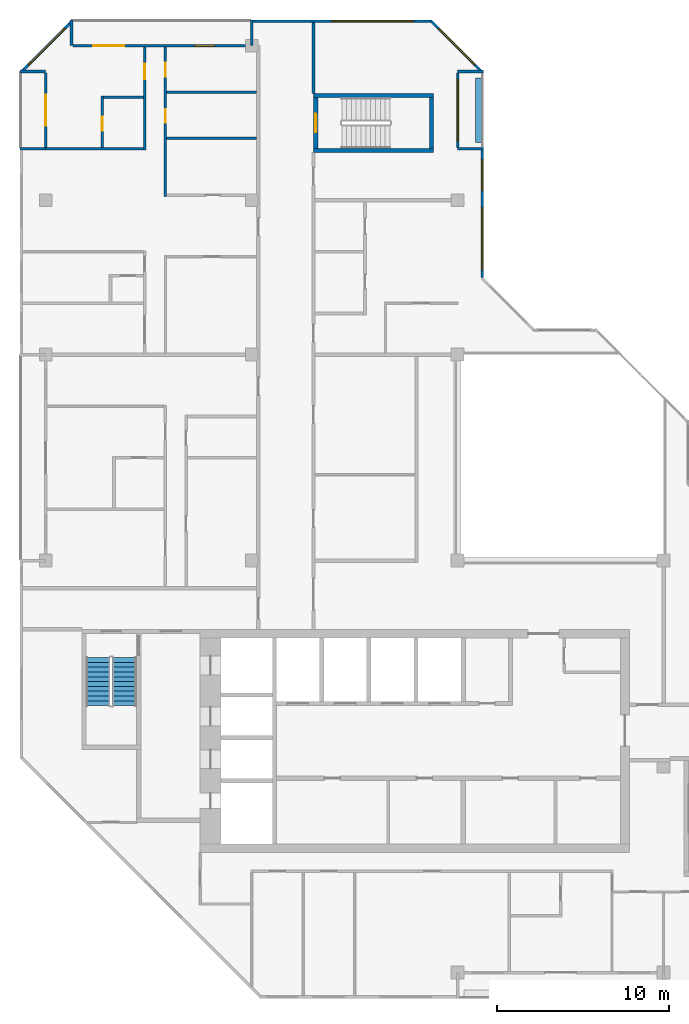
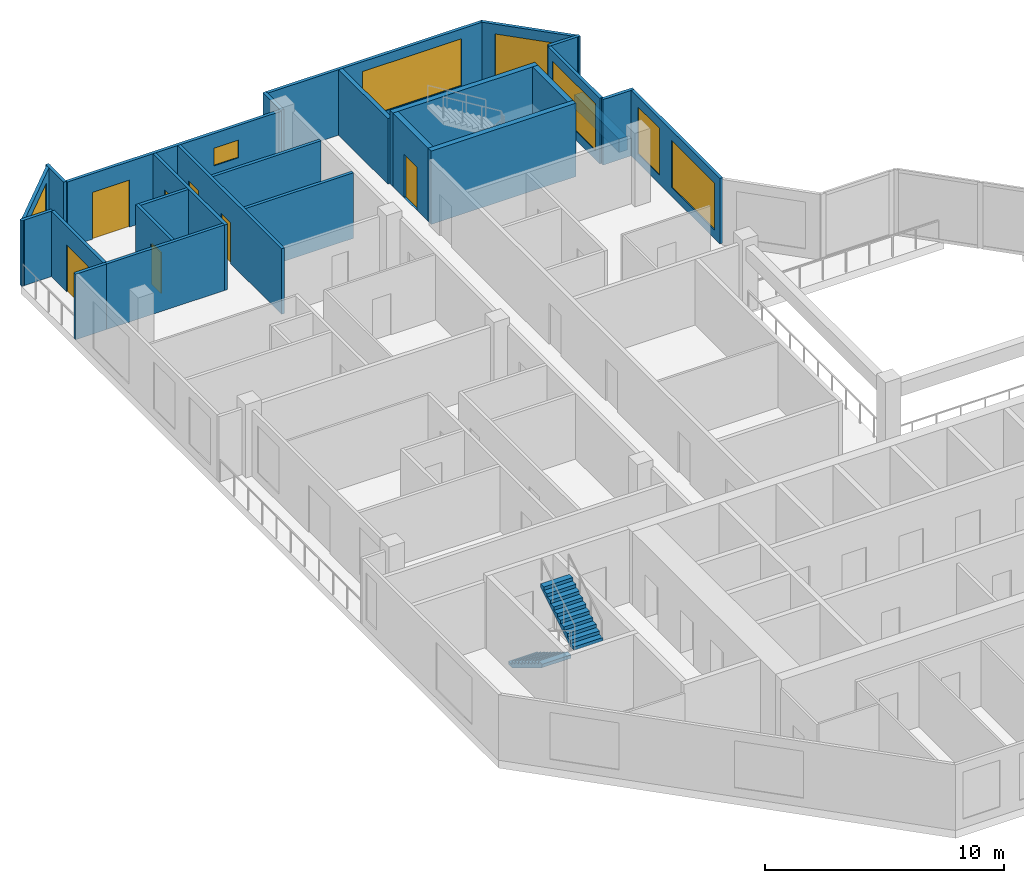
# One storey, part 9 of 12: 26 walls, 7 doors, 7 windows, 2 stair flights, 14 openings, 1 element without a shape of its own.
"""IFC4 building model written with IfcOpenShell, lengths in metres."""

from ifc_helpers import new_model, si_unit, direction, frame, frame_2d, origin, place, context, subcontext, project, spatial, polyline, rectangle, outline, extrude, material, layer, layer_set, type_object, element, fill, aggregate, save


model = new_model("IFC4")

# Units and contexts
model_context = context("Model", 3, precision=1e-05, world=origin(), true_north=direction((0.0, 1.0)))
body_context = subcontext(model_context, "Body", "Model", "MODEL_VIEW")
ifc_project = project(units=[si_unit("LENGTHUNIT", "METRE"), si_unit("AREAUNIT", "SQUARE_METRE"), si_unit("VOLUMEUNIT", "CUBIC_METRE"), si_unit("PLANEANGLEUNIT", "RADIAN"), si_unit("MASSUNIT", "GRAM", prefix="KILO")], contexts=[model_context])

# Site, building, storey
site_placement = place(None, origin())
site = spatial("IfcSite", under=ifc_project, at=site_placement, CompositionType="ELEMENT")
building_placement = place(site_placement, origin())
building = spatial("IfcBuilding", under=site, at=building_placement, Name="Chenar Terraces", CompositionType="ELEMENT")
storey_placement = place(building_placement, frame((0.0, 0.0, 357.64990234375)))
storey = spatial("IfcBuildingStorey", under=building, at=storey_placement, Name="L83", CompositionType="ELEMENT", Elevation=357.64990234375)

# Walls
ifc_material_1 = material(Name="Concrete C50/60", Category="concrete")
ifc_layer_1 = layer(ifc_material_1, 0.25)
ifc_layer_set_1 = layer_set([ifc_layer_1], Name="Concrete C50/60")
wall_type_1 = type_object("IfcWallType", Name="Core wall 250 Concrete C50/60", PredefinedType="SHEAR", material=ifc_layer_set_1)
for number, where, z_axis, x_axis, name in (
    (1, (15.60009765625, 47.89990234375, 0.0), (0.0, 0.0, 1.0), (1.0, 0.0, 0.0), "Core wall ST4_S L83"),
    (2, (15.60009765625, 51.10009765625, 0.0), (0.0, 0.0, 1.0), (1.0, 0.0, 0.0), "Core wall ST4_N L83"),
):
    element("IfcWall", number, at=place(storey_placement, frame(where, z_axis=z_axis, x_axis=x_axis)), inside=storey, type_object=wall_type_1, Name=name, PredefinedType="SHEAR", context=body_context, shape_type="SweptSolid", body=[
        extrude(rectangle(XDim=7.0, YDim=0.25, at=frame_2d((3.5, 0.0))), origin(), (0.0, 0.0, 1.0), 3.75),
    ])

# Wall, opening, door
wall_1_placement = place(storey_placement, frame((15.72509765625, 48.02490234375, 0.0), z_axis=(0.0, 0.0, 1.0), x_axis=(0.0, 1.0, 0.0)))
wall_1 = element("IfcWall", 3, at=wall_1_placement, inside=storey, type_object=wall_type_1, Name="Core wall ST4_W L83", PredefinedType="SHEAR", context=body_context, shape_type="SweptSolid", body=[
    extrude(rectangle(XDim=2.9501953125, YDim=0.25, at=frame_2d((1.47509765625, 0.0))), origin(), (0.0, 0.0, 1.0), 3.75),
])
opening_1_placement = place(wall_1_placement, frame((0.925048828125, 0.0, 0.0)))
opening_1 = element("IfcOpeningElement", 4, at=opening_1_placement, cuts=wall_1, Name="Opening DL83-C9", PredefinedType="OPENING", context=body_context, shape_type="SweptSolid", body=[
    extrude(rectangle(XDim=1.10009765625, YDim=2.199951171875, at=frame_2d((0.550048828125, 1.10009765625))), frame((0.0, 0.135009765625, 0.0), z_axis=(0.0, -1.0, 0.0), x_axis=(1.0, 0.0, 0.0)), (0.0, 0.0, 1.0), 0.27001953125),
])
ifc_material_2 = material(Name="Steel-framed fire-resisting door leaf", Category="steel")
door_type_1 = type_object("IfcDoorType", Name="Stair fire door FD60 1100 x 2200", OperationType="SINGLE_SWING_LEFT", PredefinedType="DOOR", material=ifc_material_2)
door_1_placement = place(opening_1_placement, frame((1.10009765625, 0.0, 0.0), z_axis=(0.0, 0.0, 1.0), x_axis=(-1.0, 0.0, 0.0)))
door_1 = element("IfcDoor", 5, at=door_1_placement, inside=storey, type_object=door_type_1, Name="Stair door DL83-C9", OperationType="SINGLE_SWING_RIGHT", OverallHeight=2.199951171875, OverallWidth=1.10009765625, PredefinedType="DOOR", context=body_context, shape_type="SweptSolid", body=[
    extrude(rectangle(XDim=1.10009765625, YDim=2.199951171875, at=frame_2d((0.550048828125, 1.10009765625))), frame((0.0, 0.02490234375, 0.0), z_axis=(0.0, -1.0, 0.0), x_axis=(1.0, 0.0, 0.0)), (0.0, 0.0, 1.0), 0.050048828125),
])
fill(opening_1, door_1)

# Walls
wall_2_placement = place(storey_placement, frame((22.47509765625, 48.02490234375, 0.0), z_axis=(0.0, 0.0, 1.0), x_axis=(0.0, 1.0, 0.0)))
element("IfcWall", 6, at=wall_2_placement, inside=storey, type_object=wall_type_1, Name="Core wall ST4_E L83", PredefinedType="SHEAR", context=body_context, shape_type="SweptSolid", body=[
    extrude(rectangle(XDim=2.9501953125, YDim=0.25, at=frame_2d((1.47509765625, 0.0))), origin(), (0.0, 0.0, 1.0), 3.75),
])
ifc_material_3 = material(Name="Gypsum board on steel studs with fire boards", Category="steel")
ifc_layer_2 = layer(ifc_material_3, 0.199951171875)
ifc_layer_set_2 = layer_set([ifc_layer_2], Name="Gypsum board on steel studs with fire boards")
wall_type_2 = type_object("IfcWallType", Name="Corridor wall 200", PredefinedType="PARTITIONING", material=ifc_layer_set_2)
wall_3_placement = place(storey_placement, frame((15.60009765625, 51.22509765625, 0.0), z_axis=(0.0, 0.0, 1.0), x_axis=(0.0, 1.0, 0.0)))
element("IfcWall", 7, at=wall_3_placement, inside=storey, type_object=wall_type_2, Name="Partition L83-035", PredefinedType="PARTITIONING", context=body_context, shape_type="SweptSolid", body=[
    extrude(rectangle(XDim=4.125, YDim=0.199951171875, at=frame_2d((2.0625, 0.0))), origin(), (0.0, 0.0, 1.0), 3.35009765625),
])

# Wall, openings, windows
ifc_material_4 = material(Name="Aluminium framed glazing", Category="aluminium")
ifc_layer_3 = layer(ifc_material_4, 0.14990234375)
ifc_layer_set_3 = layer_set([ifc_layer_3], Name="Aluminium framed glazing")
wall_type_3 = type_object("IfcWallType", Name="Glazed flush facade wall 150", PredefinedType="SOLIDWALL", material=ifc_layer_set_3)
wall_4_placement = place(storey_placement, frame((25.425048828125, 40.5, 0.0), z_axis=(0.0, 0.0, 1.0), x_axis=(0.0, 1.0, 0.0)))
wall_4 = element("IfcWall", 8, at=wall_4_placement, inside=storey, type_object=wall_type_3, Name="Glazed flush facade wall", PredefinedType="SOLIDWALL", context=body_context, shape_type="SweptSolid", body=[
    extrude(rectangle(XDim=7.425048828125, YDim=0.14990234375, at=frame_2d((3.71240234375, 0.0))), origin(), (0.0, 0.0, 1.0), 3.35009765625),
])
opening_2_placement = place(wall_4_placement, frame((0.449951171875, 0.0, 0.449951171875)))
opening_2 = element("IfcOpeningElement", 9, at=opening_2_placement, cuts=wall_4, Name="Opening W360x240", PredefinedType="OPENING", context=body_context, shape_type="SweptSolid", body=[
    extrude(rectangle(XDim=3.60009765625, YDim=2.39990234375, at=frame_2d((1.800048828125, 1.199951171875))), frame((0.0, 0.0849609375, 0.0), z_axis=(0.0, -1.0, 0.0), x_axis=(1.0, 0.0, 0.0)), (0.0, 0.0, 1.0), 0.169921875),
])
opening_3_placement = place(wall_4_placement, frame((5.0625, 0.0, 0.449951171875)))
opening_3 = element("IfcOpeningElement", 10, at=opening_3_placement, cuts=wall_4, Name="Opening W180x240", PredefinedType="OPENING", context=body_context, shape_type="SweptSolid", body=[
    extrude(rectangle(XDim=1.800048828125, YDim=2.39990234375, at=frame_2d((0.89990234375, 1.199951171875))), frame((0.0, 0.0849609375, 0.0), z_axis=(0.0, -1.0, 0.0), x_axis=(1.0, 0.0, 0.0)), (0.0, 0.0, 1.0), 0.169921875),
])
ifc_material_5 = material(Name="Low emissivity double glazing, aluminium frame", Category="aluminium")
window_type_1 = type_object("IfcWindowType", Name="Fixed light 1800 x 2400", PartitioningType="SINGLE_PANEL", PredefinedType="WINDOW", material=ifc_material_5)
window_1_placement = place(opening_3_placement, origin())
window_1 = element("IfcWindow", 11, at=window_1_placement, inside=storey, type_object=window_type_1, Name="Window", OverallHeight=2.39990234375, OverallWidth=1.800048828125, PartitioningType="SINGLE_PANEL", PredefinedType="WINDOW", context=body_context, shape_type="SweptSolid", body=[
    extrude(rectangle(XDim=1.800048828125, YDim=2.39990234375, at=frame_2d((0.89990234375, 1.199951171875))), frame((0.0, 0.030029296875, 0.0), z_axis=(0.0, -1.0, 0.0), x_axis=(1.0, 0.0, 0.0)), (0.0, 0.0, 1.0), 0.06005859375),
])
fill(opening_3, window_1)
ifc_material_6 = material(Name="Low emissivity double glazing, aluminium frame", Category="aluminium")
window_type_2 = type_object("IfcWindowType", Name="Fixed light 3600 x 2400", PartitioningType="SINGLE_PANEL", PredefinedType="WINDOW", material=ifc_material_6)
window_2_placement = place(opening_2_placement, origin())
window_2 = element("IfcWindow", 12, at=window_2_placement, inside=storey, type_object=window_type_2, Name="Window", OverallHeight=2.39990234375, OverallWidth=3.60009765625, PartitioningType="SINGLE_PANEL", PredefinedType="WINDOW", context=body_context, shape_type="SweptSolid", body=[
    extrude(rectangle(XDim=3.60009765625, YDim=2.39990234375, at=frame_2d((1.800048828125, 1.199951171875))), frame((0.0, 0.030029296875, 0.0), z_axis=(0.0, -1.0, 0.0), x_axis=(1.0, 0.0, 0.0)), (0.0, 0.0, 1.0), 0.06005859375),
])
fill(opening_2, window_2)

# Wall, opening, window
wall_5_placement = place(storey_placement, frame((22.5, 55.425048828125, 0.0), z_axis=(0.0, 0.0, 1.0), x_axis=(-1.0, 0.0, 0.0)))
wall_5 = element("IfcWall", 13, at=wall_5_placement, inside=storey, type_object=wall_type_3, Name="Glazed flush facade wall", PredefinedType="SOLIDWALL", context=body_context, shape_type="SweptSolid", body=[
    extrude(rectangle(XDim=10.425048828125, YDim=0.14990234375, at=frame_2d((5.21240234375, 0.0))), origin(), (0.0, 0.0, 1.0), 3.35009765625),
])
opening_4_placement = place(wall_5_placement, frame((1.050048828125, 0.0, 0.449951171875)))
opening_4 = element("IfcOpeningElement", 14, at=opening_4_placement, cuts=wall_5, Name="Opening W480x240", PredefinedType="OPENING", context=body_context, shape_type="SweptSolid", body=[
    extrude(rectangle(XDim=4.800048828125, YDim=2.39990234375, at=frame_2d((2.39990234375, 1.199951171875))), frame((0.0, 0.0849609375, 0.0), z_axis=(0.0, -1.0, 0.0), x_axis=(1.0, 0.0, 0.0)), (0.0, 0.0, 1.0), 0.169921875),
])
ifc_material_7 = material(Name="Low emissivity double glazing, aluminium frame", Category="aluminium")
window_type_3 = type_object("IfcWindowType", Name="Fixed light 4800 x 2400", PartitioningType="SINGLE_PANEL", PredefinedType="WINDOW", material=ifc_material_7)
window_3_placement = place(opening_4_placement, origin())
window_3 = element("IfcWindow", 15, at=window_3_placement, inside=storey, type_object=window_type_3, Name="Window", OverallHeight=2.39990234375, OverallWidth=4.800048828125, PartitioningType="SINGLE_PANEL", PredefinedType="WINDOW", context=body_context, shape_type="SweptSolid", body=[
    extrude(rectangle(XDim=4.800048828125, YDim=2.39990234375, at=frame_2d((2.39990234375, 1.199951171875))), frame((0.0, 0.030029296875, 0.0), z_axis=(0.0, -1.0, 0.0), x_axis=(1.0, 0.0, 0.0)), (0.0, 0.0, 1.0), 0.06005859375),
])
fill(opening_4, window_3)

ifc_material_8 = material(Name="Aluminium framed glazing", Category="aluminium")
ifc_layer_4 = layer(ifc_material_8, 0.14990234375)
ifc_layer_set_4 = layer_set([ifc_layer_4], Name="Aluminium framed glazing")
wall_type_4 = type_object("IfcWallType", Name="Glazed loggia back wall 150", PredefinedType="SOLIDWALL", material=ifc_layer_set_4)
wall_6_placement = place(storey_placement, frame((24.0, 48.074951171875, 0.0), z_axis=(0.0, 0.0, 1.0), x_axis=(0.0, 1.0, 0.0)))
wall_6 = element("IfcWall", 16, at=wall_6_placement, inside=storey, type_object=wall_type_4, Name="Glazed loggia back wall", PredefinedType="SOLIDWALL", context=body_context, shape_type="SweptSolid", body=[
    extrude(rectangle(XDim=4.35009765625, YDim=0.14990234375, at=frame_2d((2.175048828125, 0.0))), origin(), (0.0, 0.0, 1.0), 3.35009765625),
])
opening_5_placement = place(wall_6_placement, frame((0.375, 0.0, 0.449951171875)))
opening_5 = element("IfcOpeningElement", 17, at=opening_5_placement, cuts=wall_6, Name="Opening W360x240", PredefinedType="OPENING", context=body_context, shape_type="SweptSolid", body=[
    extrude(rectangle(XDim=3.60009765625, YDim=2.39990234375, at=frame_2d((1.800048828125, 1.199951171875))), frame((0.0, 0.0849609375, 0.0), z_axis=(0.0, -1.0, 0.0), x_axis=(1.0, 0.0, 0.0)), (0.0, 0.0, 1.0), 0.169921875),
])
window_4_placement = place(opening_5_placement, origin())
window_4 = element("IfcWindow", 18, at=window_4_placement, inside=storey, type_object=window_type_2, Name="Window", OverallHeight=2.39990234375, OverallWidth=3.60009765625, PartitioningType="SINGLE_PANEL", PredefinedType="WINDOW", context=body_context, shape_type="SweptSolid", body=[
    extrude(rectangle(XDim=3.60009765625, YDim=2.39990234375, at=frame_2d((1.800048828125, 1.199951171875))), frame((0.0, 0.030029296875, 0.0), z_axis=(0.0, -1.0, 0.0), x_axis=(1.0, 0.0, 0.0)), (0.0, 0.0, 1.0), 0.06005859375),
])
fill(opening_5, window_4)

# Wall, openings, window, door
wall_7_placement = place(storey_placement, frame((11.925048828125, 54.0, 0.0), z_axis=(0.0, 0.0, 1.0), x_axis=(-1.0, 0.0, 0.0)))
wall_7 = element("IfcWall", 19, at=wall_7_placement, inside=storey, type_object=wall_type_4, Name="Glazed loggia back wall", PredefinedType="SOLIDWALL", context=body_context, shape_type="SweptSolid", body=[
    extrude(rectangle(XDim=10.35009765625, YDim=0.14990234375, at=frame_2d((5.175048828125, 0.0))), origin(), (0.0, 0.0, 1.0), 3.35009765625),
])
opening_6_placement = place(wall_7_placement, frame((2.074951171875, 0.0, 1.699951171875)))
opening_6 = element("IfcOpeningElement", 20, at=opening_6_placement, cuts=wall_7, Name="Opening W120x90", PredefinedType="OPENING", context=body_context, shape_type="SweptSolid", body=[
    extrude(rectangle(XDim=1.199951171875, YDim=0.89990234375, at=frame_2d((0.60009765625, 0.449951171875))), frame((0.0, 0.0849609375, 0.0), z_axis=(0.0, -1.0, 0.0), x_axis=(1.0, 0.0, 0.0)), (0.0, 0.0, 1.0), 0.169921875),
])
opening_7_placement = place(wall_7_placement, frame((7.35009765625, 0.0, 0.0)))
opening_7 = element("IfcOpeningElement", 21, at=opening_7_placement, cuts=wall_7, Name="Opening DL83-G1", PredefinedType="OPENING", context=body_context, shape_type="SweptSolid", body=[
    extrude(rectangle(XDim=1.800048828125, YDim=2.39990234375, at=frame_2d((0.89990234375, 1.199951171875))), frame((0.0, 0.0849609375, 0.0), z_axis=(0.0, -1.0, 0.0), x_axis=(1.0, 0.0, 0.0)), (0.0, 0.0, 1.0), 0.169921875),
])
ifc_material_9 = material(Name="Low emissivity double glazing, aluminium frame", Category="aluminium")
window_type_4 = type_object("IfcWindowType", Name="Fixed light 1200 x 900", PartitioningType="SINGLE_PANEL", PredefinedType="WINDOW", material=ifc_material_9)
window_5_placement = place(opening_6_placement, origin())
window_5 = element("IfcWindow", 22, at=window_5_placement, inside=storey, type_object=window_type_4, Name="Window", OverallHeight=0.89990234375, OverallWidth=1.199951171875, PartitioningType="SINGLE_PANEL", PredefinedType="WINDOW", context=body_context, shape_type="SweptSolid", body=[
    extrude(rectangle(XDim=1.199951171875, YDim=0.89990234375, at=frame_2d((0.60009765625, 0.449951171875))), frame((0.0, 0.030029296875, 0.0), z_axis=(0.0, -1.0, 0.0), x_axis=(1.0, 0.0, 0.0)), (0.0, 0.0, 1.0), 0.06005859375),
])
fill(opening_6, window_5)
ifc_material_10 = material(Name="Low emissivity double glazing, aluminium frame", Category="aluminium")
door_type_2 = type_object("IfcDoorType", Name="Loggia glazed double door 1800 x 2400", OperationType="DOUBLE_DOOR_SINGLE_SWING", PredefinedType="DOOR", material=ifc_material_10)
door_2_placement = place(opening_7_placement, frame((1.800048828125, 0.0, 0.0), z_axis=(0.0, 0.0, 1.0), x_axis=(-1.0, 0.0, 0.0)))
door_2 = element("IfcDoor", 23, at=door_2_placement, inside=storey, type_object=door_type_2, Name="Loggia glazed door", OperationType="DOUBLE_DOOR_SINGLE_SWING", OverallHeight=2.39990234375, OverallWidth=1.800048828125, PredefinedType="DOOR", context=body_context, shape_type="SweptSolid", body=[
    extrude(rectangle(XDim=1.800048828125, YDim=2.39990234375, at=frame_2d((0.89990234375, 1.199951171875))), frame((0.0, 0.02490234375, 0.0), z_axis=(0.0, -1.0, 0.0), x_axis=(1.0, 0.0, 0.0)), (0.0, 0.0, 1.0), 0.050048828125),
])
fill(opening_7, door_2)

# Wall, opening, door
wall_8_placement = place(storey_placement, frame((0.0, 52.425048828125, 0.0), z_axis=(0.0, 0.0, 1.0), x_axis=(0.0, -1.0, 0.0)))
wall_8 = element("IfcWall", 24, at=wall_8_placement, inside=storey, type_object=wall_type_4, Name="Glazed loggia back wall", PredefinedType="SOLIDWALL", context=body_context, shape_type="SweptSolid", body=[
    extrude(rectangle(XDim=4.35009765625, YDim=0.14990234375, at=frame_2d((2.175048828125, 0.0))), origin(), (0.0, 0.0, 1.0), 3.35009765625),
])
opening_8_placement = place(wall_8_placement, frame((1.27490234375, 0.0, 0.0)))
opening_8 = element("IfcOpeningElement", 25, at=opening_8_placement, cuts=wall_8, Name="Opening DL83-G2", PredefinedType="OPENING", context=body_context, shape_type="SweptSolid", body=[
    extrude(rectangle(XDim=1.800048828125, YDim=2.39990234375, at=frame_2d((0.89990234375, 1.199951171875))), frame((0.0, 0.0849609375, 0.0), z_axis=(0.0, -1.0, 0.0), x_axis=(1.0, 0.0, 0.0)), (0.0, 0.0, 1.0), 0.169921875),
])
door_3_placement = place(opening_8_placement, frame((1.800048828125, 0.0, 0.0), z_axis=(0.0, 0.0, 1.0), x_axis=(-1.0, 0.0, 0.0)))
door_3 = element("IfcDoor", 26, at=door_3_placement, inside=storey, type_object=door_type_2, Name="Loggia glazed door", OperationType="DOUBLE_DOOR_SINGLE_SWING", OverallHeight=2.39990234375, OverallWidth=1.800048828125, PredefinedType="DOOR", context=body_context, shape_type="SweptSolid", body=[
    extrude(rectangle(XDim=1.800048828125, YDim=2.39990234375, at=frame_2d((0.89990234375, 1.199951171875))), frame((0.0, 0.02490234375, 0.0), z_axis=(0.0, -1.0, 0.0), x_axis=(1.0, 0.0, 0.0)), (0.0, 0.0, 1.0), 0.050048828125),
])
fill(opening_8, door_3)

# Walls
ifc_material_11 = material(Name="Terracotta cladding on insulated backing", Category="masonry")
ifc_layer_5 = layer(ifc_material_11, 0.14990234375)
ifc_layer_set_5 = layer_set([ifc_layer_5], Name="Terracotta cladding on insulated backing")
wall_type_5 = type_object("IfcWallType", Name="Loggia return wall 150", PredefinedType="SOLIDWALL", material=ifc_layer_set_5)
for number, where, z_axis, x_axis, name in (
    (27, (25.5, 48.0, 0.0), (0.0, 0.0, 1.0), (-1.0, 0.0, 0.0), "Loggia return wall"),
    (28, (25.5, 52.5, 0.0), (0.0, 0.0, 1.0), (-1.0, 0.0, 0.0), "Loggia return wall"),
    (29, (12.0, 55.5, 0.0), (0.0, 0.0, 1.0), (0.0, -1.0, 0.0), "Loggia return wall"),
    (30, (1.5, 55.5, 0.0), (0.0, 0.0, 1.0), (0.0, -1.0, 0.0), "Loggia return wall"),
    (31, (-1.5, 52.5, 0.0), (0.0, 0.0, 1.0), (1.0, 0.0, 0.0), "Loggia return wall"),
    (32, (-1.5, 48.0, 0.0), (0.0, 0.0, 1.0), (1.0, 0.0, 0.0), "Loggia return wall"),
):
    element("IfcWall", number, at=place(storey_placement, frame(where, z_axis=z_axis, x_axis=x_axis)), inside=storey, type_object=wall_type_5, Name=name, PredefinedType="SOLIDWALL", context=body_context, shape_type="SweptSolid", body=[
        extrude(rectangle(XDim=1.5, YDim=0.14990234375, at=frame_2d((0.75, 0.0))), origin(), (0.0, 0.0, 1.0), 3.35009765625),
    ])

# Wall, opening, window
ifc_material_12 = material(Name="Terracotta cladding on insulated backing", Category="masonry")
ifc_layer_6 = layer(ifc_material_12, 0.14990234375)
ifc_layer_set_6 = layer_set([ifc_layer_6], Name="Terracotta cladding on insulated backing")
wall_type_6 = type_object("IfcWallType", Name="Terracotta rainscreen wall 150", PredefinedType="SOLIDWALL", material=ifc_layer_set_6)
wall_9_placement = place(storey_placement, frame((25.447021484375, 52.447021484375, 0.0), z_axis=(0.0, 0.0, 1.0), x_axis=(-0.707106781187, 0.707106781187, 0.0)))
wall_9 = element("IfcWall", 33, at=wall_9_placement, inside=storey, type_object=wall_type_6, Name="Terracotta rainscreen wall", PredefinedType="SOLIDWALL", context=body_context, shape_type="SweptSolid", body=[
    extrude(rectangle(XDim=4.24267578125, YDim=0.14990234375, at=frame_2d((2.121337890625, 0.0))), origin(), (0.0, 0.0, 1.0), 3.35009765625),
])
opening_9_placement = place(wall_9_placement, frame((0.621337890625, 0.0, 0.449951171875)))
opening_9 = element("IfcOpeningElement", 34, at=opening_9_placement, cuts=wall_9, Name="Opening W300x240", PredefinedType="OPENING", context=body_context, shape_type="SweptSolid", body=[
    extrude(rectangle(XDim=3.0, YDim=2.39990234375, at=frame_2d((1.5, 1.199951171875))), frame((0.0, 0.0849609375, 0.0), z_axis=(0.0, -1.0, 0.0), x_axis=(1.0, 0.0, 0.0)), (0.0, 0.0, 1.0), 0.169921875),
])
ifc_material_13 = material(Name="Low emissivity double glazing, aluminium frame", Category="aluminium")
window_type_5 = type_object("IfcWindowType", Name="Fixed light 3000 x 2400", PartitioningType="SINGLE_PANEL", PredefinedType="WINDOW", material=ifc_material_13)
window_6_placement = place(opening_9_placement, origin())
window_6 = element("IfcWindow", 35, at=window_6_placement, inside=storey, type_object=window_type_5, Name="Window", OverallHeight=2.39990234375, OverallWidth=3.0, PartitioningType="SINGLE_PANEL", PredefinedType="WINDOW", context=body_context, shape_type="SweptSolid", body=[
    extrude(rectangle(XDim=3.0, YDim=2.39990234375, at=frame_2d((1.5, 1.199951171875))), frame((0.0, 0.030029296875, 0.0), z_axis=(0.0, -1.0, 0.0), x_axis=(1.0, 0.0, 0.0)), (0.0, 0.0, 1.0), 0.06005859375),
])
fill(opening_9, window_6)

wall_10_placement = place(storey_placement, frame((1.552978515625, 55.447021484375, 0.0), z_axis=(0.0, 0.0, 1.0), x_axis=(-0.707106781187, -0.707106781187, 0.0)))
wall_10 = element("IfcWall", 36, at=wall_10_placement, inside=storey, type_object=wall_type_6, Name="Terracotta rainscreen wall", PredefinedType="SOLIDWALL", context=body_context, shape_type="SweptSolid", body=[
    extrude(rectangle(XDim=4.24267578125, YDim=0.14990234375, at=frame_2d((2.121337890625, 0.0))), origin(), (0.0, 0.0, 1.0), 3.35009765625),
])
opening_10_placement = place(wall_10_placement, frame((0.621337890625, 0.0, 0.449951171875)))
opening_10 = element("IfcOpeningElement", 37, at=opening_10_placement, cuts=wall_10, Name="Opening W300x240", PredefinedType="OPENING", context=body_context, shape_type="SweptSolid", body=[
    extrude(rectangle(XDim=3.0, YDim=2.39990234375, at=frame_2d((1.5, 1.199951171875))), frame((0.0, 0.0849609375, 0.0), z_axis=(0.0, -1.0, 0.0), x_axis=(1.0, 0.0, 0.0)), (0.0, 0.0, 1.0), 0.169921875),
])
window_7_placement = place(opening_10_placement, origin())
window_7 = element("IfcWindow", 38, at=window_7_placement, inside=storey, type_object=window_type_5, Name="Window", OverallHeight=2.39990234375, OverallWidth=3.0, PartitioningType="SINGLE_PANEL", PredefinedType="WINDOW", context=body_context, shape_type="SweptSolid", body=[
    extrude(rectangle(XDim=3.0, YDim=2.39990234375, at=frame_2d((1.5, 1.199951171875))), frame((0.0, 0.030029296875, 0.0), z_axis=(0.0, -1.0, 0.0), x_axis=(1.0, 0.0, 0.0)), (0.0, 0.0, 1.0), 0.06005859375),
])
fill(opening_10, window_7)

# Walls
ifc_material_14 = material(Name="GRP planter trough")
ifc_layer_7 = layer(ifc_material_14, 0.39990234375)
ifc_layer_set_7 = layer_set([ifc_layer_7], Name="GRP planter trough")
wall_type_7 = type_object("IfcWallType", Name="Vertical greenery planter 400", PredefinedType="SOLIDWALL", material=ifc_layer_set_7)
wall_11_placement = place(storey_placement, frame((25.22900390625, 48.375, 0.0), z_axis=(0.0, 0.0, 1.0), x_axis=(0.0, 1.0, 0.0)))
element("IfcWall", 39, at=wall_11_placement, inside=storey, type_object=wall_type_7, Name="Vertical greenery planter", PredefinedType="SOLIDWALL", context=body_context, shape_type="SweptSolid", body=[
    extrude(rectangle(XDim=3.75, YDim=0.39990234375, at=frame_2d((1.875, 0.0))), origin(), (0.0, 0.0, 1.0), 0.7001953125),
])
ifc_material_15 = material(Name="Moisture-resistant gypsum board on steel studs", Category="steel")
ifc_layer_8 = layer(ifc_material_15, 0.14990234375)
ifc_layer_set_8 = layer_set([ifc_layer_8], Name="Moisture-resistant gypsum board on steel studs")
wall_type_8 = type_object("IfcWallType", Name="Wet-room partition 150", PredefinedType="PARTITIONING", material=ifc_layer_set_8)
wall_12_placement = place(storey_placement, frame((0.0, 48.0, 0.0), z_axis=(0.0, 0.0, 1.0), x_axis=(1.0, 0.0, 0.0)))
element("IfcWall", 40, at=wall_12_placement, inside=storey, type_object=wall_type_8, Name="Partition L83-006", PredefinedType="PARTITIONING", context=body_context, shape_type="SweptSolid", body=[
    extrude(rectangle(XDim=5.699951171875, YDim=0.14990234375, at=frame_2d((2.85009765625, 0.0))), origin(), (0.0, 0.0, 1.0), 3.35009765625),
])

# Wall, opening, door
wall_13_placement = place(storey_placement, frame((3.300048828125, 48.074951171875, 0.0), z_axis=(0.0, 0.0, 1.0), x_axis=(0.0, 1.0, 0.0)))
wall_13 = element("IfcWall", 41, at=wall_13_placement, inside=storey, type_object=wall_type_8, Name="Partition L83-010", PredefinedType="PARTITIONING", context=body_context, shape_type="SweptSolid", body=[
    extrude(rectangle(XDim=3.0, YDim=0.14990234375, at=frame_2d((1.5, 0.0))), origin(), (0.0, 0.0, 1.0), 3.35009765625),
])
opening_11_placement = place(wall_13_placement, frame((0.97509765625, 0.0, 0.0)))
opening_11 = element("IfcOpeningElement", 42, at=opening_11_placement, cuts=wall_13, Name="Opening DL83-10", PredefinedType="OPENING", context=body_context, shape_type="SweptSolid", body=[
    extrude(rectangle(XDim=0.800048828125, YDim=2.10009765625, at=frame_2d((0.39990234375, 1.050048828125))), frame((0.0, 0.0849609375, 0.0), z_axis=(0.0, -1.0, 0.0), x_axis=(1.0, 0.0, 0.0)), (0.0, 0.0, 1.0), 0.169921875),
])
ifc_material_16 = material(Name="Veneered timber door leaf", Category="wood")
door_type_3 = type_object("IfcDoorType", Name="Door 800 x 2100", OperationType="SINGLE_SWING_LEFT", PredefinedType="DOOR", material=ifc_material_16)
door_4_placement = place(opening_11_placement, frame((0.800048828125, 0.0, 0.0), z_axis=(0.0, 0.0, 1.0), x_axis=(-1.0, 0.0, 0.0)))
door_4 = element("IfcDoor", 43, at=door_4_placement, inside=storey, type_object=door_type_3, Name="Door DL83-10", OperationType="SINGLE_SWING_RIGHT", OverallHeight=2.10009765625, OverallWidth=0.800048828125, PredefinedType="DOOR", context=body_context, shape_type="SweptSolid", body=[
    extrude(rectangle(XDim=0.800048828125, YDim=2.10009765625, at=frame_2d((0.39990234375, 1.050048828125))), frame((0.0, 0.02490234375, 0.0), z_axis=(0.0, -1.0, 0.0), x_axis=(1.0, 0.0, 0.0)), (0.0, 0.0, 1.0), 0.050048828125),
])
fill(opening_11, door_4)

# Wall
wall_14_placement = place(storey_placement, frame((3.375, 51.0, 0.0), z_axis=(0.0, 0.0, 1.0), x_axis=(1.0, 0.0, 0.0)))
element("IfcWall", 44, at=wall_14_placement, inside=storey, type_object=wall_type_8, Name="Partition L83-011", PredefinedType="PARTITIONING", context=body_context, shape_type="SweptSolid", body=[
    extrude(rectangle(XDim=2.324951171875, YDim=0.14990234375, at=frame_2d((1.16259765625, 0.0))), origin(), (0.0, 0.0, 1.0), 3.35009765625),
])

# Wall, opening, door
wall_15_placement = place(storey_placement, frame((5.77490234375, 47.925048828125, 0.0), z_axis=(0.0, 0.0, 1.0), x_axis=(0.0, 1.0, 0.0)))
wall_15 = element("IfcWall", 45, at=wall_15_placement, inside=storey, type_object=wall_type_8, Name="Partition L83-017", PredefinedType="PARTITIONING", context=body_context, shape_type="SweptSolid", body=[
    extrude(rectangle(XDim=6.0009765625, YDim=0.14990234375, at=frame_2d((3.00048828125, 0.0))), origin(), (0.0, 0.0, 1.0), 3.35009765625),
])
opening_12_placement = place(wall_15_placement, frame((4.125, 0.0, 0.0)))
opening_12 = element("IfcOpeningElement", 46, at=opening_12_placement, cuts=wall_15, Name="Opening DL83-9", PredefinedType="OPENING", context=body_context, shape_type="SweptSolid", body=[
    extrude(rectangle(XDim=0.89990234375, YDim=2.10009765625, at=frame_2d((0.449951171875, 1.050048828125))), frame((0.0, 0.0849609375, 0.0), z_axis=(0.0, -1.0, 0.0), x_axis=(1.0, 0.0, 0.0)), (0.0, 0.0, 1.0), 0.169921875),
])
ifc_material_17 = material(Name="Veneered timber door leaf", Category="wood")
door_type_4 = type_object("IfcDoorType", Name="Door 900 x 2100", OperationType="SINGLE_SWING_LEFT", PredefinedType="DOOR", material=ifc_material_17)
door_5_placement = place(opening_12_placement, origin())
door_5 = element("IfcDoor", 47, at=door_5_placement, inside=storey, type_object=door_type_4, Name="Door DL83-9", OperationType="SINGLE_SWING_LEFT", OverallHeight=2.10009765625, OverallWidth=0.89990234375, PredefinedType="DOOR", context=body_context, shape_type="SweptSolid", body=[
    extrude(rectangle(XDim=0.89990234375, YDim=2.10009765625, at=frame_2d((0.449951171875, 1.050048828125))), frame((0.0, 0.02490234375, 0.0), z_axis=(0.0, -1.0, 0.0), x_axis=(1.0, 0.0, 0.0)), (0.0, 0.0, 1.0), 0.050048828125),
])
fill(opening_12, door_5)

# Wall, openings, doors
wall_16_placement = place(storey_placement, frame((6.97509765625, 45.22509765625, 0.0), z_axis=(0.0, 0.0, 1.0), x_axis=(0.0, 1.0, 0.0)))
wall_16 = element("IfcWall", 48, at=wall_16_placement, inside=storey, type_object=wall_type_8, Name="Partition L83-020", PredefinedType="PARTITIONING", context=body_context, shape_type="SweptSolid", body=[
    extrude(rectangle(XDim=8.700927734375, YDim=0.14990234375, at=frame_2d((4.3505859375, 0.0))), origin(), (0.0, 0.0, 1.0), 3.35009765625),
])
opening_13_placement = place(wall_16_placement, frame((4.27490234375, 0.0, 0.0)))
opening_13 = element("IfcOpeningElement", 49, at=opening_13_placement, cuts=wall_16, Name="Opening DL83-8", PredefinedType="OPENING", context=body_context, shape_type="SweptSolid", body=[
    extrude(rectangle(XDim=0.800048828125, YDim=2.10009765625, at=frame_2d((0.39990234375, 1.050048828125))), frame((0.0, 0.0849609375, 0.0), z_axis=(0.0, -1.0, 0.0), x_axis=(1.0, 0.0, 0.0)), (0.0, 0.0, 1.0), 0.169921875),
])
opening_14_placement = place(wall_16_placement, frame((6.97509765625, 0.0, 0.0)))
opening_14 = element("IfcOpeningElement", 50, at=opening_14_placement, cuts=wall_16, Name="Opening DL83-12", PredefinedType="OPENING", context=body_context, shape_type="SweptSolid", body=[
    extrude(rectangle(XDim=0.800048828125, YDim=2.10009765625, at=frame_2d((0.39990234375, 1.050048828125))), frame((0.0, 0.0849609375, 0.0), z_axis=(0.0, -1.0, 0.0), x_axis=(1.0, 0.0, 0.0)), (0.0, 0.0, 1.0), 0.169921875),
])
door_6_placement = place(opening_13_placement, frame((0.800048828125, 0.0, 0.0), z_axis=(0.0, 0.0, 1.0), x_axis=(-1.0, 0.0, 0.0)))
door_6 = element("IfcDoor", 51, at=door_6_placement, inside=storey, type_object=door_type_3, Name="Door DL83-8", OperationType="SINGLE_SWING_RIGHT", OverallHeight=2.10009765625, OverallWidth=0.800048828125, PredefinedType="DOOR", context=body_context, shape_type="SweptSolid", body=[
    extrude(rectangle(XDim=0.800048828125, YDim=2.10009765625, at=frame_2d((0.39990234375, 1.050048828125))), frame((0.0, 0.02490234375, 0.0), z_axis=(0.0, -1.0, 0.0), x_axis=(1.0, 0.0, 0.0)), (0.0, 0.0, 1.0), 0.050048828125),
])
fill(opening_13, door_6)
door_7_placement = place(opening_14_placement, frame((0.800048828125, 0.0, 0.0), z_axis=(0.0, 0.0, 1.0), x_axis=(-1.0, 0.0, 0.0)))
door_7 = element("IfcDoor", 52, at=door_7_placement, inside=storey, type_object=door_type_3, Name="Door DL83-12", OperationType="SINGLE_SWING_RIGHT", OverallHeight=2.10009765625, OverallWidth=0.800048828125, PredefinedType="DOOR", context=body_context, shape_type="SweptSolid", body=[
    extrude(rectangle(XDim=0.800048828125, YDim=2.10009765625, at=frame_2d((0.39990234375, 1.050048828125))), frame((0.0, 0.02490234375, 0.0), z_axis=(0.0, -1.0, 0.0), x_axis=(1.0, 0.0, 0.0)), (0.0, 0.0, 1.0), 0.050048828125),
])
fill(opening_14, door_7)

# Walls
for number, where, z_axis, x_axis, name in (
    (53, (7.050048828125, 48.60009765625, 0.0), (0.0, 0.0, 1.0), (1.0, 0.0, 0.0), "Partition L83-023"),
    (54, (7.050048828125, 51.300048828125, 0.0), (0.0, 0.0, 1.0), (1.0, 0.0, 0.0), "Partition L83-024"),
):
    element("IfcWall", number, at=place(storey_placement, frame(where, z_axis=z_axis, x_axis=x_axis)), inside=storey, type_object=wall_type_8, Name=name, PredefinedType="PARTITIONING", context=body_context, shape_type="SweptSolid", body=[
        extrude(rectangle(XDim=5.224853515625, YDim=0.14990234375, at=frame_2d((2.6123046875, 0.0))), origin(), (0.0, 0.0, 1.0), 3.35009765625),
    ])

# Stair, stair flights
ifc_material_18 = material(Name="Reinforced concrete C40/50", Category="concrete")
stair_type = type_object("IfcStairType", Name="Core stair 1400 half-turn", PredefinedType="HALF_TURN_STAIR", material=ifc_material_18)
stair_placement = place(storey_placement, origin())
stair = element("IfcStair", 55, at=stair_placement, inside=storey, type_object=stair_type, Name="L83 Stair 1", PredefinedType="HALF_TURN_STAIR")
ifc_material_19 = material(Name="Reinforced concrete C40/50", Category="concrete")
stair_flight_type = type_object("IfcStairFlightType", Name="Core stair flight 1400", PredefinedType="STRAIGHT", material=ifc_material_19)
stair_flight_1_placement = place(storey_placement, frame((3.050048828125, 18.35009765625, 0.0), z_axis=(0.0, 0.0, 1.0), x_axis=(0.0, -1.0, 0.0)))
stair_flight_1 = element("IfcStairFlight", 56, at=stair_flight_1_placement, type_object=stair_flight_type, Name="ST1 flight 1", NumberOfRisers=11, NumberOfTreads=10, PredefinedType="STRAIGHT", RiserHeight=0.170454545, TreadLength=0.28, context=body_context, shape_type="SweptSolid", body=[
    extrude(outline(polyline([(-0.0029296875, 0.0), (-0.0029296875, 0.17041015625), (0.0, 0.17041015625), (0.280029296875, 0.17041015625), (0.280029296875, 0.3408203125), (0.56005859375, 0.3408203125), (0.56005859375, 0.511474609375), (0.840087890625, 0.511474609375), (0.840087890625, 0.681884765625), (1.1201171875, 0.681884765625), (1.1201171875, 0.852294921875), (1.39990234375, 0.852294921875), (1.39990234375, 1.022705078125), (1.679931640625, 1.022705078125), (1.679931640625, 1.193115234375), (1.9599609375, 1.193115234375), (1.9599609375, 1.363525390625), (2.239990234375, 1.363525390625), (2.239990234375, 1.5341796875), (2.52001953125, 1.5341796875), (2.52001953125, 1.70458984375), (2.800048828125, 1.70458984375), (2.802978515625, 1.70458984375), (2.802978515625, 1.529052734375), (2.800048828125, 1.529052734375), (0.288330078125, 0.0), (-0.0029296875, 0.0)])), frame((0.0, 0.699951171875, 0.0), z_axis=(0.0, -1.0, 0.0), x_axis=(1.0, 0.0, 0.0)), (0.0, 0.0, 1.0), 1.39990234375),
])
stair_flight_2_placement = place(storey_placement, frame((4.60009765625, 15.550048828125, 1.875), z_axis=(0.0, 0.0, 1.0), x_axis=(0.0, 1.0, 0.0)))
stair_flight_2 = element("IfcStairFlight", 57, at=stair_flight_2_placement, type_object=stair_flight_type, Name="ST1 flight 2", NumberOfRisers=11, NumberOfTreads=10, PredefinedType="STRAIGHT", RiserHeight=0.170454545, TreadLength=0.28, context=body_context, shape_type="SweptSolid", body=[
    extrude(outline(polyline([(-0.0029296875, 0.0), (-0.0029296875, 0.17041015625), (0.0, 0.17041015625), (0.280029296875, 0.17041015625), (0.280029296875, 0.3408203125), (0.56005859375, 0.3408203125), (0.56005859375, 0.511474609375), (0.840087890625, 0.511474609375), (0.840087890625, 0.681884765625), (1.1201171875, 0.681884765625), (1.1201171875, 0.852294921875), (1.39990234375, 0.852294921875), (1.39990234375, 1.022705078125), (1.679931640625, 1.022705078125), (1.679931640625, 1.193115234375), (1.9599609375, 1.193115234375), (1.9599609375, 1.363525390625), (2.239990234375, 1.363525390625), (2.239990234375, 1.5341796875), (2.52001953125, 1.5341796875), (2.52001953125, 1.70458984375), (2.800048828125, 1.70458984375), (2.802978515625, 1.70458984375), (2.802978515625, 1.529052734375), (2.800048828125, 1.529052734375), (0.288330078125, 0.0), (-0.0029296875, 0.0)])), frame((0.0, 0.699951171875, 0.0), z_axis=(0.0, -1.0, 0.0), x_axis=(1.0, 0.0, 0.0)), (0.0, 0.0, 1.0), 1.39990234375),
])
aggregate(stair, [stair_flight_1, stair_flight_2])

save(model, "model.ifc")
